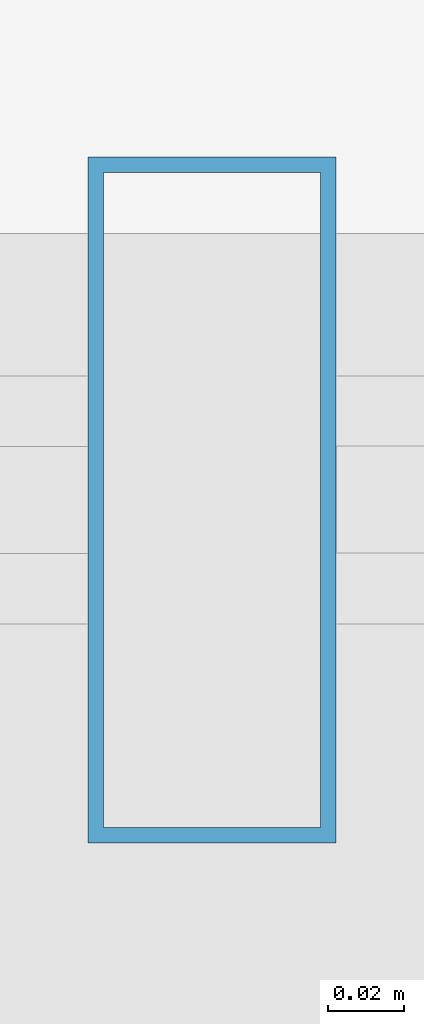
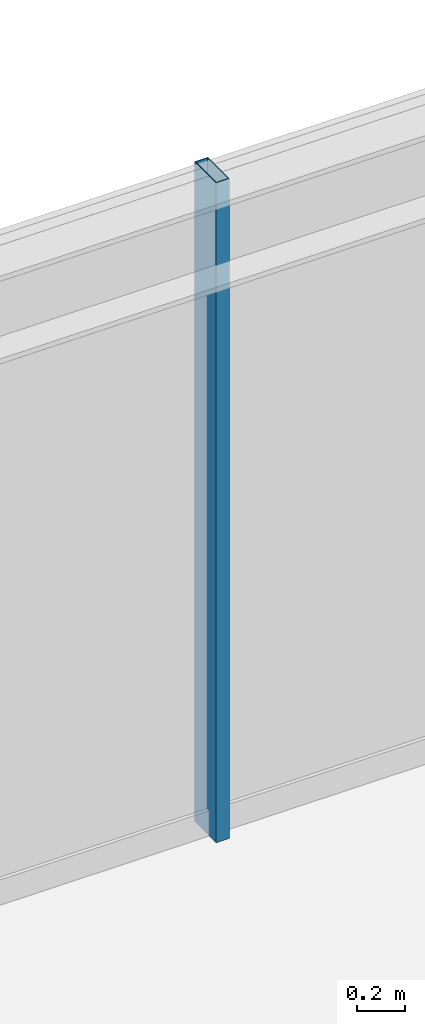
# One storey, part 18 of 29: 1 member, 1 element without a shape of its own.
"""IFC4 building model written with IfcOpenShell, lengths in metres."""

from ifc_helpers import new_model, si_unit, direction, frame, origin, origin_2d, place, context, subcontext, project, spatial, hollow_rectangle, extrude, source, transform, mapped, material, material_profile, profile_set, type_object, element, aggregate, save


model = new_model("IFC4")

# Units and contexts
model_context = context("Model", 3, precision=1e-05, world=origin(), true_north=direction((0.0, 1.0)))
body_context = subcontext(model_context, "Body", "Model", "MODEL_VIEW")
ifc_project = project(units=[si_unit("LENGTHUNIT", "METRE"), si_unit("AREAUNIT", "SQUARE_METRE"), si_unit("VOLUMEUNIT", "CUBIC_METRE"), si_unit("PLANEANGLEUNIT", "RADIAN"), si_unit("MASSUNIT", "GRAM", prefix="KILO")], contexts=[model_context])

# Site, building, storey
site_placement = place(None, origin())
site = spatial("IfcSite", under=ifc_project, at=site_placement, CompositionType="ELEMENT")
building_placement = place(site_placement, origin())
building = spatial("IfcBuilding", under=site, at=building_placement, Name="Nahalor Promenade Grand Hotel", CompositionType="ELEMENT")
storey_placement = place(building_placement, frame((0.0, 0.0, 189.14990234375)))
storey = spatial("IfcBuildingStorey", under=building, at=storey_placement, Name="L48", CompositionType="ELEMENT", Elevation=189.14990234375)

# Curtain wall, member
ifc_material = material(Name="Anodised Bronze Aluminium EN AW-6063 T6", Category="aluminium")
curtain_wall_type = type_object("IfcCurtainWallType", Name="CW2 Typical Hotel Flush Bronze Unitised Curtain Wall", PredefinedType="USERDEFINED", material=ifc_material)
curtain_wall_placement = place(storey_placement, origin())
curtain_wall = element("IfcCurtainWall", 1, at=curtain_wall_placement, inside=storey, type_object=curtain_wall_type, Name="L48 Curtain Wall CW-L48-N-3", ObjectType="UNITISED_CURTAIN_WALL", PredefinedType="USERDEFINED")
ifc_material_profile = material_profile(ifc_material, hollow_rectangle(XDim=0.065, YDim=0.18, WallThickness=0.004, at=origin_2d()), Name="CWM 65x180x4")
ifc_profile_set = profile_set([ifc_material_profile], Name="Anodised Bronze Aluminium EN AW-6063 T6")
member_type = type_object("IfcMemberType", Name="CWM2 Typical Bronze Mullion 65x180", PredefinedType="MULLION", material=ifc_profile_set)
shared_shape = source(origin(), body_context, "Body", "SweptSolid", [
    extrude(hollow_rectangle(XDim=0.065, YDim=0.18, WallThickness=0.004, at=origin_2d()), origin(), (0.0, 0.0, 1.0), 3.39013671875),
])
member_placement = place(storey_placement, frame((5.679931640625, 22.56005859375, 0.0), z_axis=(0.0, 0.0, 1.0), x_axis=(1.0, 0.0, 0.0)))
member = element("IfcMember", 2, at=member_placement, type_object=member_type, Name="CW-L48-N-3 Mullion 1", PredefinedType="MULLION", context=body_context, shape_type="MappedRepresentation", body=[
    mapped(shared_shape, transform((0.0, 0.0, 0.0), scale=1.0)),
])
aggregate(curtain_wall, [member])

save(model, "model.ifc")
